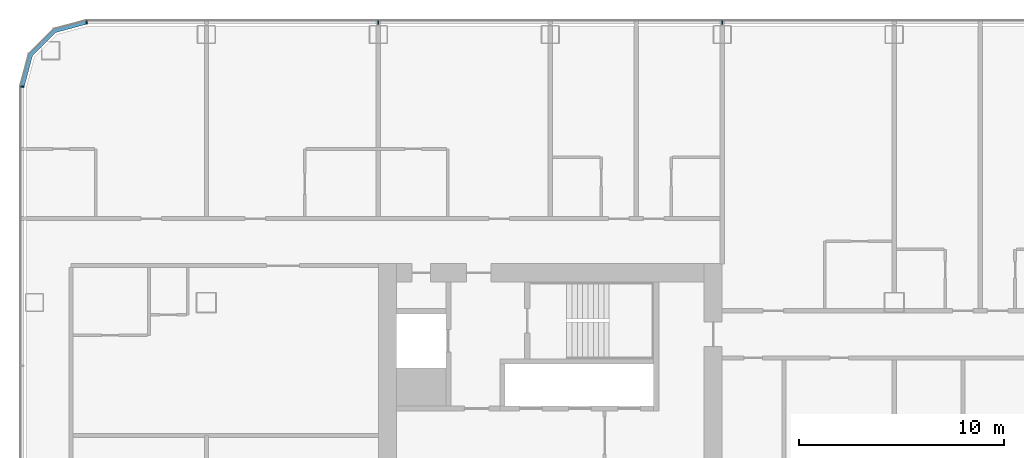
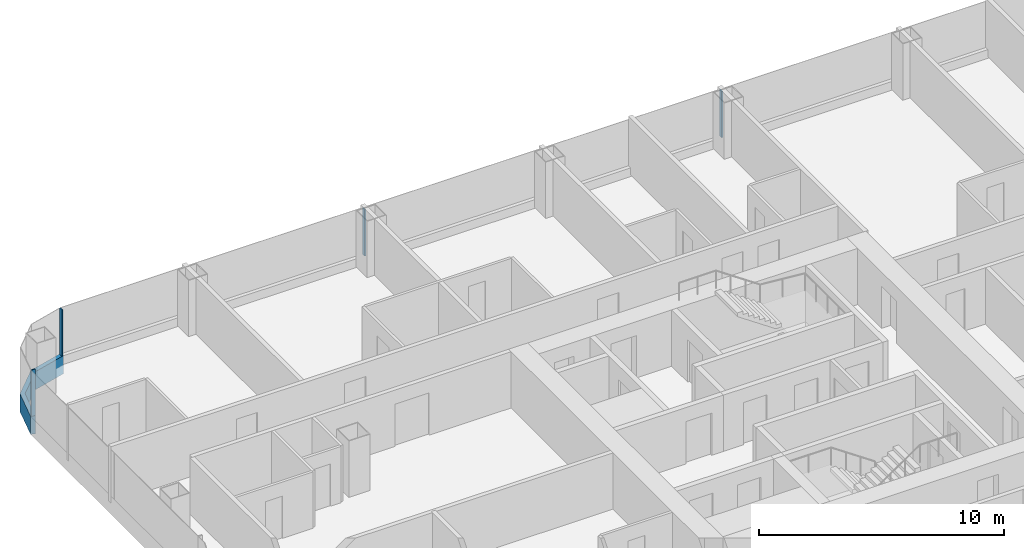
# One storey, part 6 of 28: 5 members, 3 elements without a shape of their own.
"""IFC4 building model written with IfcOpenShell, lengths in metres."""

from ifc_helpers import new_model, si_unit, direction, frame, origin, origin_2d, place, context, subcontext, project, spatial, polyline, rectangle, outline, extrude, material, layer, layer_set, material_profile, profile_set, type_object, element, aggregate, save


model = new_model("IFC4")

# Units and contexts
model_context = context("Model", 3, precision=1e-05, world=origin(), true_north=direction((0.0, 1.0)))
body_context = subcontext(model_context, "Body", "Model", "MODEL_VIEW")
ifc_project = project(units=[si_unit("LENGTHUNIT", "METRE"), si_unit("AREAUNIT", "SQUARE_METRE"), si_unit("VOLUMEUNIT", "CUBIC_METRE"), si_unit("PLANEANGLEUNIT", "RADIAN"), si_unit("MASSUNIT", "GRAM", prefix="KILO")], contexts=[model_context])

# Site, building, storey
site_placement = place(None, origin())
site = spatial("IfcSite", under=ifc_project, at=site_placement, CompositionType="ELEMENT")
building_placement = place(site_placement, origin())
building = spatial("IfcBuilding", under=site, at=building_placement, Name="Hakoniwa Tower and Hamabe Station Hall", CompositionType="ELEMENT")
storey_placement = place(building_placement, frame((0.0, 0.0, 58.199951171875)))
storey = spatial("IfcBuildingStorey", under=building, at=storey_placement, Name="L16", CompositionType="ELEMENT", Elevation=58.199951171875)

# Curtain wall, member
ifc_material_1 = material(Name="Dark low-e laminated glass", Category="glass")
ifc_layer = layer(ifc_material_1, 0.199951171875)
ifc_layer_set = layer_set([ifc_layer], Name="CW-1 UNITISED GUEST")
curtain_wall_type = type_object("IfcCurtainWallType", Name="CW-1 UNITISED GUEST", PredefinedType="NOTDEFINED", material=ifc_layer_set)
curtain_wall_1_placement = place(storey_placement, origin())
curtain_wall_1 = element("IfcCurtainWall", 1, at=curtain_wall_1_placement, inside=storey, type_object=curtain_wall_type, Name="CW-1 curtain wall", PredefinedType="NOTDEFINED")
ifc_material_2 = material(Name="Aluminium 6063-T5 black anodised", Category="aluminium")
ifc_material_profile_1 = material_profile(ifc_material_2, rectangle(XDim=0.199951171875, YDim=0.89990234375, at=origin_2d()), Name="CW SLAB-EDGE BAND 900X200")
ifc_profile_set_1 = profile_set([ifc_material_profile_1], Name="Aluminium 6063-T5 black anodised")
member_type_1 = type_object("IfcMemberType", Name="CW SLAB-EDGE BAND 900X200", PredefinedType="USERDEFINED", material=ifc_profile_set_1)
member_1_placement = place(storey_placement, frame((0.0, 0.0, -0.550048828125)))
member_1 = element("IfcMember", 2, at=member_1_placement, type_object=member_type_1, Name="CW-1 transom", ObjectType="TRANSOM", PredefinedType="USERDEFINED", context=body_context, shape_type="SweptSolid", body=[
    extrude(outline(polyline([(-47.839599609375, 20.300048828125), (-49.455322265625, 19.866943359375), (-50.6669921875, 18.6552734375), (-51.10009765625, 17.03955078125), (-50.90673828125, 16.98779296875), (-50.48779296875, 18.5517578125), (-49.351806640625, 19.687744140625), (-47.787841796875, 20.10693359375), (-47.839599609375, 20.300048828125)])), origin(), (0.0, 0.0, 1.0), 0.900146484375),
])
aggregate(curtain_wall_1, [member_1])

# Curtain wall, members
curtain_wall_2_placement = place(storey_placement, origin())
curtain_wall_2 = element("IfcCurtainWall", 3, at=curtain_wall_2_placement, inside=storey, type_object=curtain_wall_type, Name="CW-1 curtain wall", PredefinedType="NOTDEFINED")
ifc_material_3 = material(Name="Aluminium 6063-T5 black anodised", Category="aluminium")
ifc_material_profile_2 = material_profile(ifc_material_3, rectangle(XDim=0.06005859375, YDim=0.179931640625, at=origin_2d()), Name="CW-1 MULLION 60X180")
ifc_profile_set_2 = profile_set([ifc_material_profile_2], Name="Aluminium 6063-T5 black anodised")
member_type_2 = type_object("IfcMemberType", Name="CW-1 MULLION 60X180", PredefinedType="MULLION", material=ifc_profile_set_2)
member_2_placement = place(storey_placement, frame((-16.800048828125, 20.181884765625, 0.35009765625), z_axis=(0.0, 0.0, 1.0), x_axis=(-1.0, 0.0, 0.0)))
member_2 = element("IfcMember", 4, at=member_2_placement, type_object=member_type_2, Name="CW-1 mullion", PredefinedType="MULLION", context=body_context, shape_type="SweptSolid", body=[
    extrude(rectangle(XDim=0.06005859375, YDim=0.179931640625, at=origin_2d()), origin(), (0.0, 0.0, 1.0), 2.300048828125),
])
member_3_placement = place(storey_placement, frame((-33.60009765625, 20.181884765625, 0.35009765625), z_axis=(0.0, 0.0, 1.0), x_axis=(-1.0, 0.0, 0.0)))
member_3 = element("IfcMember", 5, at=member_3_placement, type_object=member_type_2, Name="CW-1 mullion", PredefinedType="MULLION", context=body_context, shape_type="SweptSolid", body=[
    extrude(rectangle(XDim=0.06005859375, YDim=0.179931640625, at=origin_2d()), origin(), (0.0, 0.0, 1.0), 2.300048828125),
])
member_4_placement = place(storey_placement, frame((-47.839599609375, 20.181884765625, 0.35009765625), z_axis=(0.0, 0.0, 1.0), x_axis=(-1.0, 0.0, 0.0)))
member_4 = element("IfcMember", 6, at=member_4_placement, type_object=member_type_2, Name="CW-1 mullion", PredefinedType="MULLION", context=body_context, shape_type="SweptSolid", body=[
    extrude(rectangle(XDim=0.06005859375, YDim=0.179931640625, at=origin_2d()), origin(), (0.0, 0.0, 1.0), 2.300048828125),
])
aggregate(curtain_wall_2, [member_2, member_3, member_4])

# Curtain wall, member
curtain_wall_3_placement = place(storey_placement, origin())
curtain_wall_3 = element("IfcCurtainWall", 7, at=curtain_wall_3_placement, inside=storey, type_object=curtain_wall_type, Name="CW-1 curtain wall", PredefinedType="NOTDEFINED")
member_5_placement = place(storey_placement, frame((-50.98193359375, 17.03955078125, 0.35009765625), z_axis=(0.0, 0.0, 1.0), x_axis=(0.0, -1.0, 0.0)))
member_5 = element("IfcMember", 8, at=member_5_placement, type_object=member_type_2, Name="CW-1 mullion", PredefinedType="MULLION", context=body_context, shape_type="SweptSolid", body=[
    extrude(rectangle(XDim=0.06005859375, YDim=0.179931640625, at=origin_2d()), origin(), (0.0, 0.0, 1.0), 2.300048828125),
])
aggregate(curtain_wall_3, [member_5])

save(model, "model.ifc")
